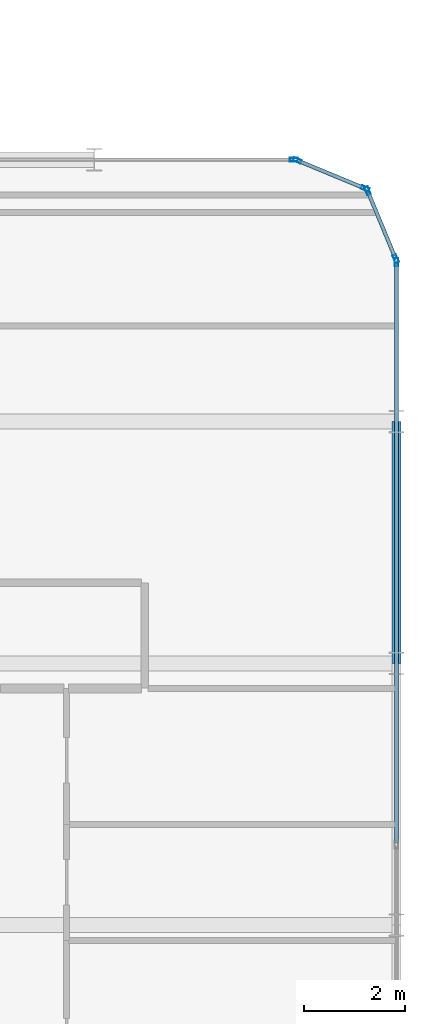
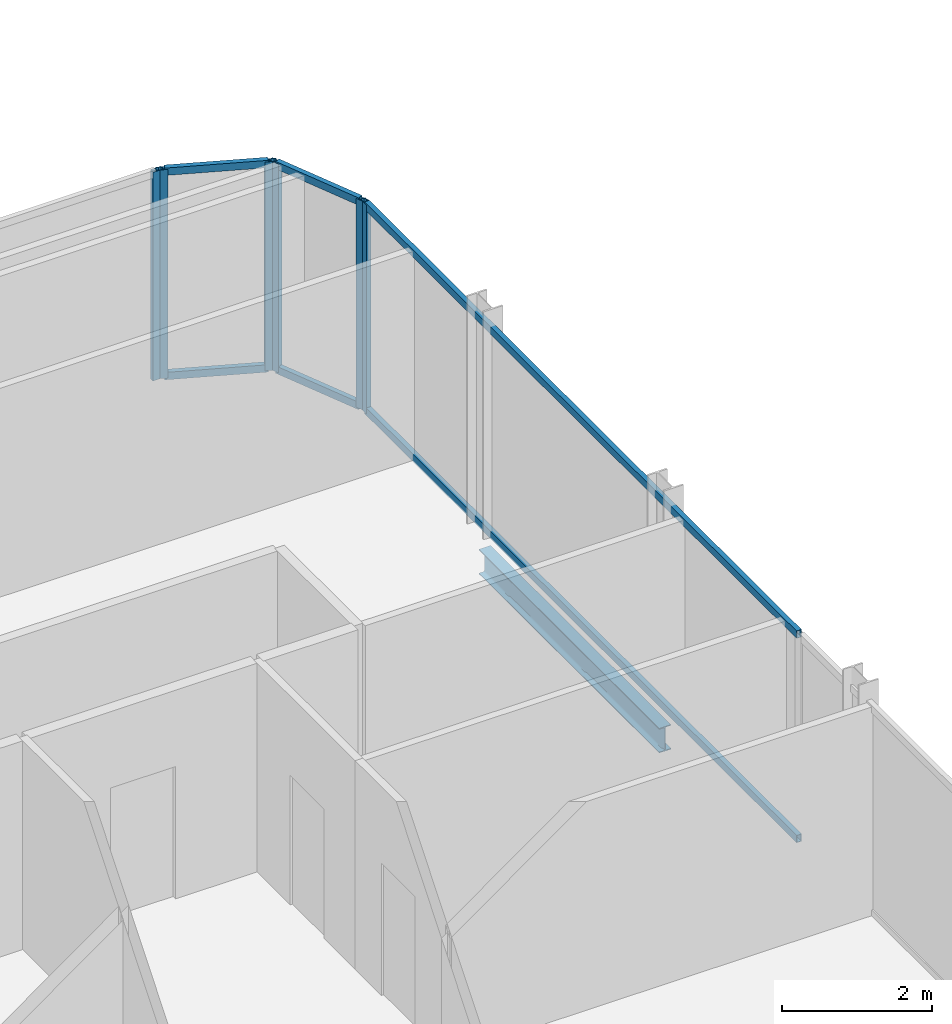
# One storey, part 15 of 29: 12 members, 1 beam, 4 elements without a shape of their own.
"""IFC4 building model written with IfcOpenShell, lengths in metres."""

from ifc_helpers import new_model, si_unit, direction, frame, origin, origin_2d, place, context, subcontext, project, spatial, hollow_rectangle, i_section, extrude, material, layer, layer_set, material_profile, profile_set, type_object, element, aggregate, save


model = new_model("IFC4")

# Units and contexts
model_context = context("Model", 3, precision=1e-05, world=origin(), true_north=direction((0.0, 1.0)))
body_context = subcontext(model_context, "Body", "Model", "MODEL_VIEW")
ifc_project = project(units=[si_unit("LENGTHUNIT", "METRE"), si_unit("AREAUNIT", "SQUARE_METRE"), si_unit("VOLUMEUNIT", "CUBIC_METRE"), si_unit("PLANEANGLEUNIT", "RADIAN"), si_unit("MASSUNIT", "GRAM", prefix="KILO")], contexts=[model_context])

# Site, building, storey
site_placement = place(None, origin())
site = spatial("IfcSite", under=ifc_project, at=site_placement, CompositionType="ELEMENT")
building_placement = place(site_placement, origin())
building = spatial("IfcBuilding", under=site, at=building_placement, Name="Keshet Zoharim Tower", CompositionType="ELEMENT")
storey_placement = place(building_placement, frame((0.0, 0.0, 230.199951171875)))
storey = spatial("IfcBuildingStorey", under=building, at=storey_placement, Name="L57", CompositionType="ELEMENT", Elevation=230.199951171875)

# Beam
ifc_material_1 = material(Name="Steel S355", Category="steel")
ifc_material_profile_1 = material_profile(ifc_material_1, i_section(OverallWidth=0.179931640625, OverallDepth=0.39990234375, WebThickness=0.008544921875, FlangeThickness=0.013427734375, FilletRadius=0.02099609375, at=origin_2d()), Name="IPE400")
ifc_profile_set_1 = profile_set([ifc_material_profile_1], Name="Steel S355")
beam_type = type_object("IfcBeamType", Name="BM-PRI-IP400", PredefinedType="BEAM", material=ifc_profile_set_1)
beam_placement = place(storey_placement, frame((57.0, 17.89990234375, -0.510009765625), z_axis=(0.0, 1.0, 0.0), x_axis=(-1.0, 0.0, 0.0)))
element("IfcBeam", 1, at=beam_placement, inside=storey, type_object=beam_type, Name="L57 Primary Girder Y-015", PredefinedType="BEAM", context=body_context, shape_type="SweptSolid", body=[
    extrude(i_section(OverallWidth=0.179931640625, OverallDepth=0.39990234375, WebThickness=0.008544921875, FlangeThickness=0.013427734375, FilletRadius=0.02099609375, at=origin_2d()), origin(), (0.0, 0.0, 1.0), 4.800048828125),
])

# Curtain wall, members
ifc_material_2 = material(Name="Aluminium 6063-T6", Category="aluminium")
ifc_layer = layer(ifc_material_2, 0.139892578125)
ifc_layer_set = layer_set([ifc_layer], Name="Aluminium 6063-T6")
curtain_wall_type = type_object("IfcCurtainWallType", Name="CW-SYS-05", PredefinedType="NOTDEFINED", material=ifc_layer_set)
curtain_wall_1_placement = place(storey_placement, origin())
curtain_wall_1 = element("IfcCurtainWall", 2, at=curtain_wall_1_placement, inside=storey, type_object=curtain_wall_type, Name="L57 Unitised Curtain Wall 01", PredefinedType="NOTDEFINED")
ifc_material_profile_2 = material_profile(ifc_material_2, hollow_rectangle(XDim=0.074951171875, YDim=0.159912109375, WallThickness=0.00390625, at=origin_2d()), Name="MUL-75x160")
ifc_profile_set_2 = profile_set([ifc_material_profile_2], Name="Aluminium 6063-T6")
member_type_1 = type_object("IfcMemberType", Name="CWM-M15", PredefinedType="MULLION", material=ifc_profile_set_2)
member_1_placement = place(storey_placement, frame((55.0322265625, 27.88671875, 0.0), z_axis=(0.0, 0.0, 1.0), x_axis=(0.382851849847, 0.92380975372, 0.0)))
member_1 = element("IfcMember", 3, at=member_1_placement, type_object=member_type_1, Name="CW-05 mullion 1", PredefinedType="MULLION", context=body_context, shape_type="SweptSolid", body=[
    extrude(hollow_rectangle(XDim=0.074951171875, YDim=0.159912109375, WallThickness=0.00390625, at=origin_2d()), origin(), (0.0, 0.0, 1.0), 3.39013671875),
])
member_2_placement = place(storey_placement, frame((56.381591796875, 27.327392578125, 0.0), z_axis=(0.0, 0.0, 1.0), x_axis=(0.382851849847, 0.92380975372, 0.0)))
member_2 = element("IfcMember", 4, at=member_2_placement, type_object=member_type_1, Name="CW-05 mullion 2", PredefinedType="MULLION", context=body_context, shape_type="SweptSolid", body=[
    extrude(hollow_rectangle(XDim=0.074951171875, YDim=0.159912109375, WallThickness=0.00390625, at=origin_2d()), origin(), (0.0, 0.0, 1.0), 3.39013671875),
])

curtain_wall_2_placement = place(storey_placement, origin())
curtain_wall_2 = element("IfcCurtainWall", 5, at=curtain_wall_2_placement, inside=storey, type_object=curtain_wall_type, Name="L57 Unitised Curtain Wall 02", PredefinedType="NOTDEFINED")
member_3_placement = place(storey_placement, frame((56.427490234375, 27.28173828125, 0.0), z_axis=(0.0, 0.0, 1.0), x_axis=(0.92380975372, 0.382851849847, 0.0)))
member_3 = element("IfcMember", 6, at=member_3_placement, type_object=member_type_1, Name="CW-05 mullion 1", PredefinedType="MULLION", context=body_context, shape_type="SweptSolid", body=[
    extrude(hollow_rectangle(XDim=0.074951171875, YDim=0.159912109375, WallThickness=0.00390625, at=origin_2d()), origin(), (0.0, 0.0, 1.0), 3.39013671875),
])
member_4_placement = place(storey_placement, frame((56.986572265625, 25.932373046875, 0.0), z_axis=(0.0, 0.0, 1.0), x_axis=(0.92380975372, 0.382851849847, 0.0)))
member_4 = element("IfcMember", 7, at=member_4_placement, type_object=member_type_1, Name="CW-05 mullion 2", PredefinedType="MULLION", context=body_context, shape_type="SweptSolid", body=[
    extrude(hollow_rectangle(XDim=0.074951171875, YDim=0.159912109375, WallThickness=0.00390625, at=origin_2d()), origin(), (0.0, 0.0, 1.0), 3.39013671875),
])

# Curtain wall, member
curtain_wall_3_placement = place(storey_placement, origin())
curtain_wall_3 = element("IfcCurtainWall", 8, at=curtain_wall_3_placement, inside=storey, type_object=curtain_wall_type, Name="L57 Unitised Curtain Wall 03", PredefinedType="NOTDEFINED")
member_5_placement = place(storey_placement, frame((57.0, 25.864990234375, 0.0), z_axis=(0.0, 0.0, 1.0), x_axis=(1.0, 0.0, 0.0)))
member_5 = element("IfcMember", 9, at=member_5_placement, type_object=member_type_1, Name="CW-05 mullion 1", PredefinedType="MULLION", context=body_context, shape_type="SweptSolid", body=[
    extrude(hollow_rectangle(XDim=0.074951171875, YDim=0.159912109375, WallThickness=0.00390625, at=origin_2d()), origin(), (0.0, 0.0, 1.0), 3.39013671875),
])

curtain_wall_4_placement = place(storey_placement, origin())
curtain_wall_4 = element("IfcCurtainWall", 10, at=curtain_wall_4_placement, inside=storey, type_object=curtain_wall_type, Name="L57 Unitised Curtain Wall 20 Part 2", PredefinedType="NOTDEFINED")
member_6_placement = place(storey_placement, frame((54.965087890625, 27.89990234375, 0.0), z_axis=(0.0, 0.0, 1.0), x_axis=(0.0, 1.0, 0.0)))
member_6 = element("IfcMember", 11, at=member_6_placement, type_object=member_type_1, Name="CW-05 mullion 2", PredefinedType="MULLION", context=body_context, shape_type="SweptSolid", body=[
    extrude(hollow_rectangle(XDim=0.074951171875, YDim=0.159912109375, WallThickness=0.00390625, at=origin_2d()), origin(), (0.0, 0.0, 1.0), 3.39013671875),
])
aggregate(curtain_wall_4, [member_6])

# Member
ifc_material_profile_3 = material_profile(ifc_material_2, hollow_rectangle(XDim=0.074951171875, YDim=0.1201171875, WallThickness=0.00390625, at=origin_2d()), Name="TRN-75x120")
ifc_profile_set_3 = profile_set([ifc_material_profile_3], Name="Aluminium 6063-T6")
member_type_2 = type_object("IfcMemberType", Name="CWT-T12", PredefinedType="USERDEFINED", material=ifc_profile_set_3)
member_7_placement = place(storey_placement, frame((55.064697265625, 27.873291015625, 0.03515625), z_axis=(0.92379209995, -0.382894445076, 0.0), x_axis=(0.382894445076, 0.92379209995, 0.0)))
member_7 = element("IfcMember", 12, at=member_7_placement, type_object=member_type_2, Name="CW-05 transom 1.1", ObjectType="TRANSOM", PredefinedType="USERDEFINED", context=body_context, shape_type="SweptSolid", body=[
    extrude(hollow_rectangle(XDim=0.074951171875, YDim=0.1201171875, WallThickness=0.00390625, at=origin_2d()), origin(), (0.0, 0.0, 1.0), 1.390625),
])

member_8_placement = place(storey_placement, frame((55.064697265625, 27.873291015625, 3.35498046875), z_axis=(0.92379209995, -0.382894445076, 0.0), x_axis=(0.382894445076, 0.92379209995, 0.0)))
member_8 = element("IfcMember", 13, at=member_8_placement, type_object=member_type_2, Name="CW-05 transom 1.2", ObjectType="TRANSOM", PredefinedType="USERDEFINED", context=body_context, shape_type="SweptSolid", body=[
    extrude(hollow_rectangle(XDim=0.074951171875, YDim=0.1201171875, WallThickness=0.00390625, at=origin_2d()), origin(), (0.0, 0.0, 1.0), 1.390625),
])

aggregate(curtain_wall_1, [member_1, member_2, member_7, member_8])

member_9_placement = place(storey_placement, frame((56.44091796875, 27.249267578125, 0.03515625), z_axis=(0.382744609247, -0.923854189844, 0.0), x_axis=(0.923854189844, 0.382744609247, 0.0)))
member_9 = element("IfcMember", 14, at=member_9_placement, type_object=member_type_2, Name="CW-05 transom 1.1", ObjectType="TRANSOM", PredefinedType="USERDEFINED", context=body_context, shape_type="SweptSolid", body=[
    extrude(hollow_rectangle(XDim=0.074951171875, YDim=0.1201171875, WallThickness=0.00390625, at=origin_2d()), origin(), (0.0, 0.0, 1.0), 1.390625),
])

member_10_placement = place(storey_placement, frame((56.44091796875, 27.249267578125, 3.35498046875), z_axis=(0.382744609247, -0.923854189844, 0.0), x_axis=(0.923854189844, 0.382744609247, 0.0)))
member_10 = element("IfcMember", 15, at=member_10_placement, type_object=member_type_2, Name="CW-05 transom 1.2", ObjectType="TRANSOM", PredefinedType="USERDEFINED", context=body_context, shape_type="SweptSolid", body=[
    extrude(hollow_rectangle(XDim=0.074951171875, YDim=0.1201171875, WallThickness=0.00390625, at=origin_2d()), origin(), (0.0, 0.0, 1.0), 1.390625),
])

aggregate(curtain_wall_2, [member_3, member_4, member_9, member_10])

member_11_placement = place(storey_placement, frame((57.0, 25.830078125, 0.03515625), z_axis=(0.0, -1.0, 0.0), x_axis=(1.0, 0.0, 0.0)))
member_11 = element("IfcMember", 16, at=member_11_placement, type_object=member_type_2, Name="CW-05 transom 1.1", ObjectType="TRANSOM", PredefinedType="USERDEFINED", context=body_context, shape_type="SweptSolid", body=[
    extrude(hollow_rectangle(XDim=0.074951171875, YDim=0.1201171875, WallThickness=0.00390625, at=origin_2d()), origin(), (0.0, 0.0, 1.0), 11.4951171875),
])

member_12_placement = place(storey_placement, frame((57.0, 25.830078125, 3.35498046875), z_axis=(0.0, -1.0, 0.0), x_axis=(1.0, 0.0, 0.0)))
member_12 = element("IfcMember", 17, at=member_12_placement, type_object=member_type_2, Name="CW-05 transom 1.2", ObjectType="TRANSOM", PredefinedType="USERDEFINED", context=body_context, shape_type="SweptSolid", body=[
    extrude(hollow_rectangle(XDim=0.074951171875, YDim=0.1201171875, WallThickness=0.00390625, at=origin_2d()), origin(), (0.0, 0.0, 1.0), 11.4951171875),
])

aggregate(curtain_wall_3, [member_5, member_11, member_12])

save(model, "model.ifc")
